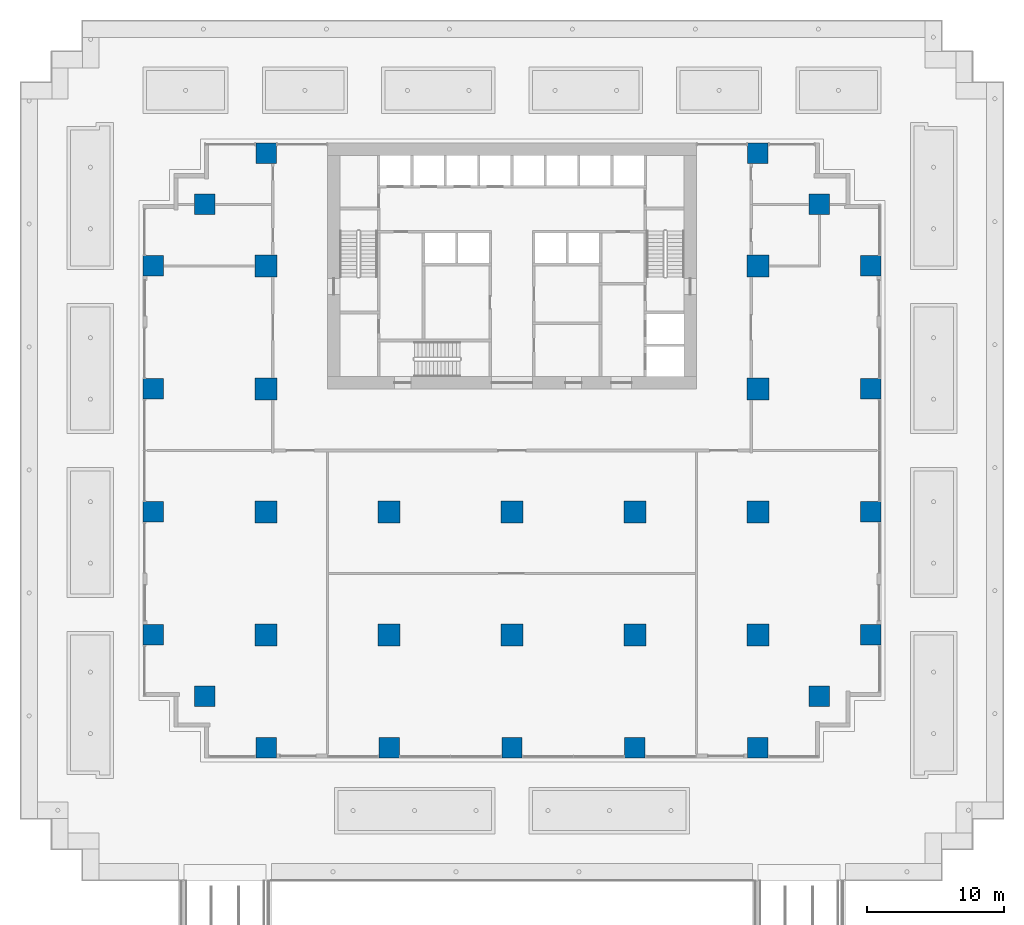
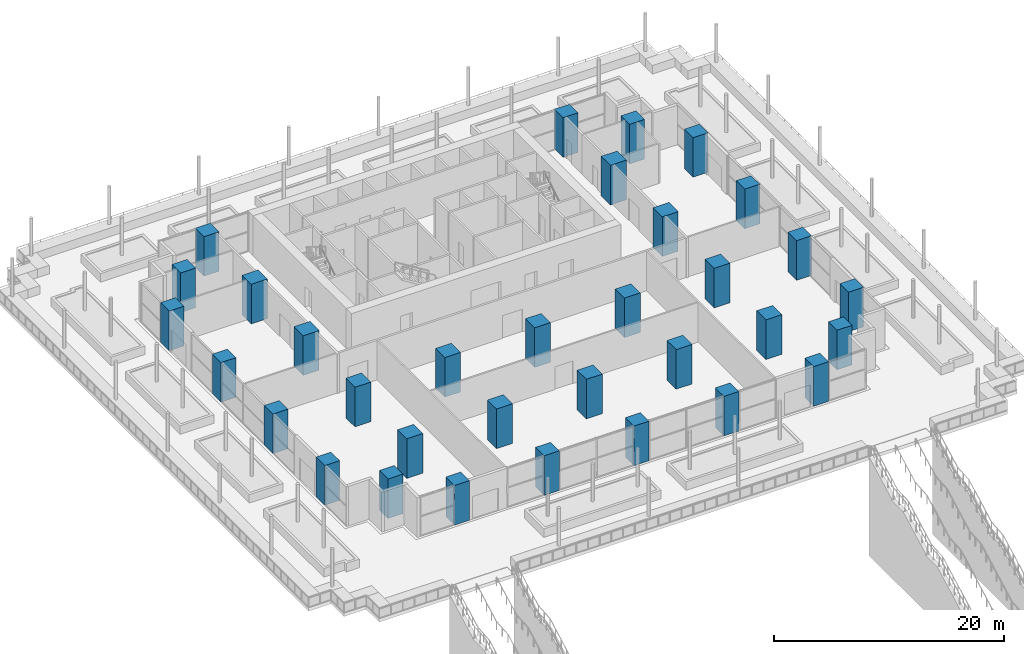
# One storey, part 1 of 18: 33 columns.
"""IFC4 building model written with IfcOpenShell, lengths in metres."""

from ifc_helpers import new_model, si_unit, direction, frame, origin, origin_2d, place, context, subcontext, project, spatial, rectangle, extrude, material, material_profile, profile_set, type_object, element, save


model = new_model("IFC4")

# Units and contexts
model_context = context("Model", 3, precision=1e-05, world=origin(), true_north=direction((0.0, 1.0)))
body_context = subcontext(model_context, "Body", "Model", "MODEL_VIEW")
ifc_project = project(units=[si_unit("LENGTHUNIT", "METRE"), si_unit("AREAUNIT", "SQUARE_METRE"), si_unit("VOLUMEUNIT", "CUBIC_METRE"), si_unit("PLANEANGLEUNIT", "RADIAN"), si_unit("MASSUNIT", "GRAM", prefix="KILO")], contexts=[model_context])

# Site, building, storey
site_placement = place(None, origin())
site = spatial("IfcSite", under=ifc_project, at=site_placement, CompositionType="ELEMENT")
building_placement = place(site_placement, origin())
building = spatial("IfcBuilding", under=site, at=building_placement, Name="Orbiselva Terraces", CompositionType="ELEMENT")
storey_placement = place(building_placement, frame((0.0, 0.0, 10.5)))
storey = spatial("IfcBuildingStorey", under=building, at=storey_placement, Name="L02", CompositionType="ELEMENT", Elevation=10.5)

# Columns
ifc_material = material(Name="Concrete C80/95", Category="concrete")
ifc_material_profile_1 = material_profile(ifc_material, rectangle(XDim=1.6, YDim=1.6, at=origin_2d()), Name="RC 1600x1600")
ifc_profile_set_1 = profile_set([ifc_material_profile_1], Name="Concrete C80/95")
column_type_1 = type_object("IfcColumnType", Name="COLUMN RC 1600x1600", PredefinedType="COLUMN", material=ifc_profile_set_1)
for number, where, z_axis, x_axis, name in (
    (1, (-18.0, -13.5, 0.0), (0.0, 0.0, 1.0), (1.0, 0.0, 0.0), "Column L02-01"),
    (2, (-18.0, -4.5, 0.0), (0.0, 0.0, 1.0), (1.0, 0.0, 0.0), "Column L02-03"),
    (3, (-18.0, 13.5, 0.0), (0.0, 0.0, 1.0), (1.0, 0.0, 0.0), "Column L02-04"),
    (4, (-18.0, 4.5, 0.0), (0.0, 0.0, 1.0), (1.0, 0.0, 0.0), "Column L02-06"),
    (5, (-9.0, -13.5, 0.0), (0.0, 0.0, 1.0), (1.0, 0.0, 0.0), "Column L02-13"),
    (6, (-9.0, -4.5, 0.0), (0.0, 0.0, 1.0), (1.0, 0.0, 0.0), "Column L02-15"),
    (7, (0.0, -13.5, 0.0), (0.0, 0.0, 1.0), (1.0, 0.0, 0.0), "Column L02-16"),
    (8, (0.0, -4.5, 0.0), (0.0, 0.0, 1.0), (1.0, 0.0, 0.0), "Column L02-18"),
    (9, (18.0, -13.5, 0.0), (0.0, 0.0, 1.0), (1.0, 0.0, 0.0), "Column L02-19"),
    (10, (18.0, -4.5, 0.0), (0.0, 0.0, 1.0), (1.0, 0.0, 0.0), "Column L02-21"),
    (11, (18.0, 13.5, 0.0), (0.0, 0.0, 1.0), (1.0, 0.0, 0.0), "Column L02-22"),
    (12, (18.0, 4.5, 0.0), (0.0, 0.0, 1.0), (1.0, 0.0, 0.0), "Column L02-24"),
    (13, (9.0, -13.5, 0.0), (0.0, 0.0, 1.0), (1.0, 0.0, 0.0), "Column L02-31"),
    (14, (9.0, -4.5, 0.0), (0.0, 0.0, 1.0), (1.0, 0.0, 0.0), "Column L02-33"),
):
    element("IfcColumn", number, at=place(storey_placement, frame(where, z_axis=z_axis, x_axis=x_axis)), inside=storey, type_object=column_type_1, Name=name, PredefinedType="COLUMN", context=body_context, shape_type="SweptSolid", body=[
        extrude(rectangle(XDim=1.6, YDim=1.6, at=origin_2d()), origin(), (0.0, 0.0, 1.0), 4.2),
    ])
ifc_material_profile_2 = material_profile(ifc_material, rectangle(XDim=1.5, YDim=1.5, at=origin_2d()), Name="RC 1500x1500")
ifc_profile_set_2 = profile_set([ifc_material_profile_2], Name="Concrete C80/95")
column_type_2 = type_object("IfcColumnType", Name="PERIMETER COLUMN RC 1500x1500", PredefinedType="COLUMN", material=ifc_profile_set_2)
for number, where, z_axis, x_axis, name in (
    (15, (-18.0, -21.75, 0.0), (0.0, 0.0, 1.0), (1.0, 0.0, 0.0), "Column L02-02"),
    (16, (-18.0, 21.75, 0.0), (0.0, 0.0, 1.0), (1.0, 0.0, 0.0), "Column L02-05"),
    (17, (-26.25, -13.5, 0.0), (0.0, 0.0, 1.0), (1.0, 0.0, 0.0), "Column L02-07"),
    (18, (-22.5, -18.0, 0.0), (0.0, 0.0, 1.0), (1.0, 0.0, 0.0), "Column L02-08"),
    (19, (-26.25, -4.5, 0.0), (0.0, 0.0, 1.0), (1.0, 0.0, 0.0), "Column L02-09"),
    (20, (-26.25, 13.5, 0.0), (0.0, 0.0, 1.0), (1.0, 0.0, 0.0), "Column L02-10"),
    (21, (-22.5, 18.0, 0.0), (0.0, 0.0, 1.0), (1.0, 0.0, 0.0), "Column L02-11"),
    (22, (-26.25, 4.5, 0.0), (0.0, 0.0, 1.0), (1.0, 0.0, 0.0), "Column L02-12"),
    (23, (-9.0, -21.75, 0.0), (0.0, 0.0, 1.0), (1.0, 0.0, 0.0), "Column L02-14"),
    (24, (0.0, -21.75, 0.0), (0.0, 0.0, 1.0), (1.0, 0.0, 0.0), "Column L02-17"),
    (25, (18.0, -21.75, 0.0), (0.0, 0.0, 1.0), (1.0, 0.0, 0.0), "Column L02-20"),
    (26, (18.0, 21.75, 0.0), (0.0, 0.0, 1.0), (1.0, 0.0, 0.0), "Column L02-23"),
    (27, (26.25, -13.5, 0.0), (0.0, 0.0, 1.0), (1.0, 0.0, 0.0), "Column L02-25"),
    (28, (22.5, -18.0, 0.0), (0.0, 0.0, 1.0), (1.0, 0.0, 0.0), "Column L02-26"),
    (29, (26.25, -4.5, 0.0), (0.0, 0.0, 1.0), (1.0, 0.0, 0.0), "Column L02-27"),
    (30, (26.25, 13.5, 0.0), (0.0, 0.0, 1.0), (1.0, 0.0, 0.0), "Column L02-28"),
    (31, (22.5, 18.0, 0.0), (0.0, 0.0, 1.0), (1.0, 0.0, 0.0), "Column L02-29"),
    (32, (26.25, 4.5, 0.0), (0.0, 0.0, 1.0), (1.0, 0.0, 0.0), "Column L02-30"),
    (33, (9.0, -21.75, 0.0), (0.0, 0.0, 1.0), (1.0, 0.0, 0.0), "Column L02-32"),
):
    element("IfcColumn", number, at=place(storey_placement, frame(where, z_axis=z_axis, x_axis=x_axis)), inside=storey, type_object=column_type_2, Name=name, PredefinedType="COLUMN", context=body_context, shape_type="SweptSolid", body=[
        extrude(rectangle(XDim=1.5, YDim=1.5, at=origin_2d()), origin(), (0.0, 0.0, 1.0), 4.2),
    ])

save(model, "model.ifc")
